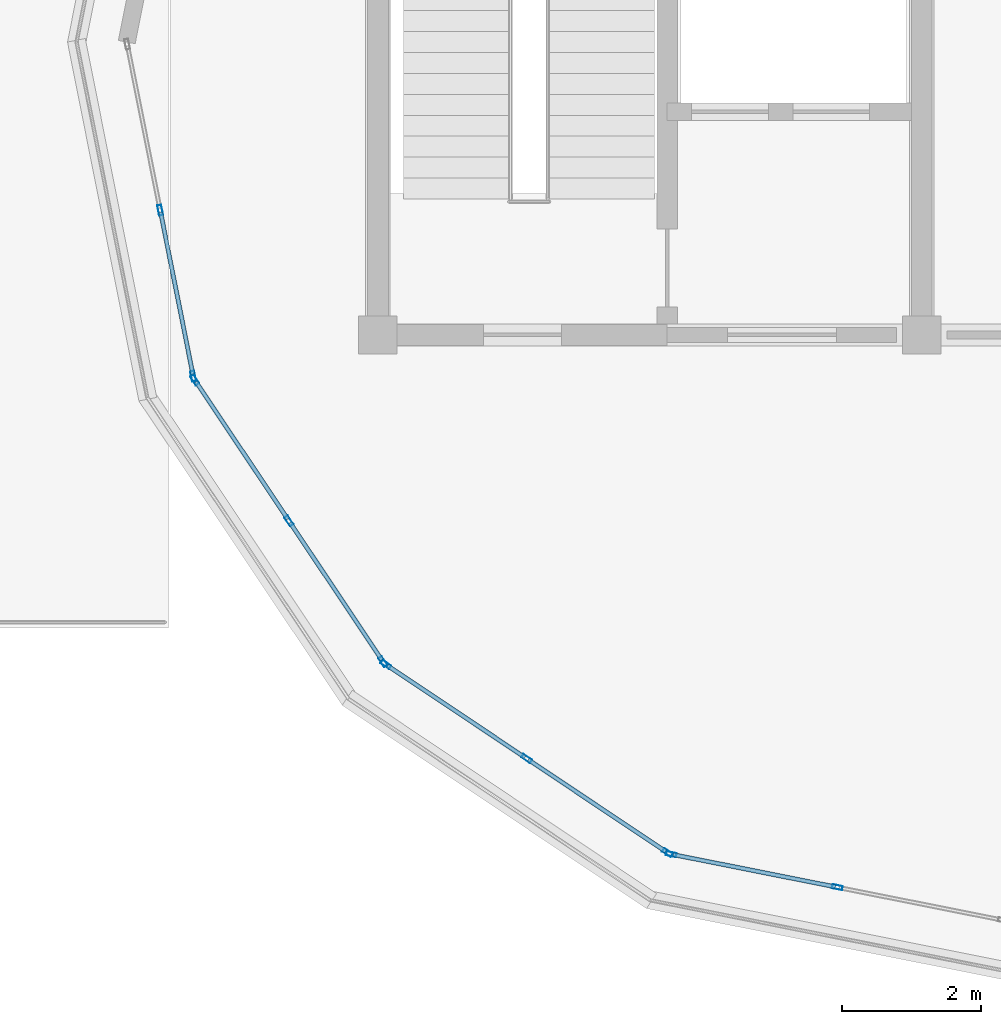
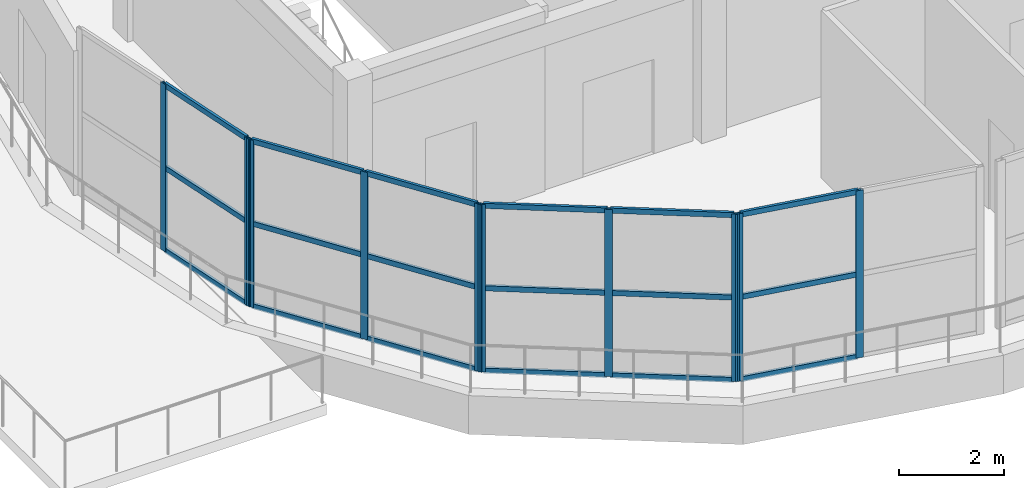
# One storey, part 2 of 33: 28 members, 4 elements without a shape of their own.
"""IFC4 building model written with IfcOpenShell, lengths in metres."""

from ifc_helpers import new_model, si_unit, direction, frame, origin, origin_2d, place, context, subcontext, project, spatial, hollow_rectangle, extrude, material, layer, layer_set, material_profile, profile_set, type_object, element, aggregate, save


model = new_model("IFC4")

# Units and contexts
model_context = context("Model", 3, precision=1e-05, world=origin(), true_north=direction((0.0, 1.0)))
body_context = subcontext(model_context, "Body", "Model", "MODEL_VIEW")
ifc_project = project(units=[si_unit("LENGTHUNIT", "METRE"), si_unit("AREAUNIT", "SQUARE_METRE"), si_unit("VOLUMEUNIT", "CUBIC_METRE"), si_unit("PLANEANGLEUNIT", "RADIAN"), si_unit("MASSUNIT", "GRAM", prefix="KILO")], contexts=[model_context])

# Site, building, storey
site_placement = place(None, origin())
site = spatial("IfcSite", under=ifc_project, at=site_placement, CompositionType="ELEMENT")
building_placement = place(site_placement, origin())
building = spatial("IfcBuilding", under=site, at=building_placement, Name="Zizhar Promenade General Hospital", CompositionType="ELEMENT")
storey_placement = place(building_placement, frame((0.0, 0.0, 39.0)))
storey = spatial("IfcBuildingStorey", under=building, at=storey_placement, Name="L09", CompositionType="ELEMENT", Elevation=39.0)

# Curtain wall, members
ifc_material_1 = material(Name="Anodised aluminium 6063-T6 and low-E glass", Category="aluminium")
ifc_layer = layer(ifc_material_1, 0.159912109375)
ifc_layer_set = layer_set([ifc_layer], Name="Anodised aluminium 6063-T6 and low-E glass")
curtain_wall_type = type_object("IfcCurtainWallType", Name="CW-WARD-ARC", PredefinedType="NOTDEFINED", material=ifc_layer_set)
curtain_wall_1_placement = place(storey_placement, origin())
curtain_wall_1 = element("IfcCurtainWall", 1, at=curtain_wall_1_placement, inside=storey, type_object=curtain_wall_type, Name="Ward Semicircular End Glazing L09-14", PredefinedType="NOTDEFINED")
ifc_material_2 = material(Name="Anodised aluminium 6063-T6", Category="aluminium")
ifc_material_profile_1 = material_profile(ifc_material_2, hollow_rectangle(XDim=0.06005859375, YDim=0.14990234375, WallThickness=0.00390625, at=origin_2d()))
ifc_profile_set_1 = profile_set([ifc_material_profile_1], Name="Anodised aluminium 6063-T6")
member_type_1 = type_object("IfcMemberType", Name="CWM-ALU-150x60", PredefinedType="MULLION", material=ifc_profile_set_1)
member_1_placement = place(storey_placement, frame((44.1533203125, 7.8076171875, 0.0), z_axis=(0.0, 0.0, 1.0), x_axis=(-0.980785889615, -0.195087259275, 0.0)))
member_1 = element("IfcMember", 2, at=member_1_placement, type_object=member_type_1, Name="CW-12 mullion 1", PredefinedType="MULLION", context=body_context, shape_type="SweptSolid", body=[
    extrude(hollow_rectangle(XDim=0.06005859375, YDim=0.14990234375, WallThickness=0.00390625, at=origin_2d()), origin(), (0.0, 0.0, 1.0), 3.89990234375),
])
member_2_placement = place(storey_placement, frame((43.679443359375, 10.189208984375, 0.0), z_axis=(0.0, 0.0, 1.0), x_axis=(-0.980785889615, -0.195087259275, 0.0)))
member_2 = element("IfcMember", 3, at=member_2_placement, type_object=member_type_1, Name="CW-12 mullion 2", PredefinedType="MULLION", context=body_context, shape_type="SweptSolid", body=[
    extrude(hollow_rectangle(XDim=0.06005859375, YDim=0.14990234375, WallThickness=0.00390625, at=origin_2d()), origin(), (0.0, 0.0, 1.0), 3.89990234375),
])

curtain_wall_2_placement = place(storey_placement, origin())
curtain_wall_2 = element("IfcCurtainWall", 4, at=curtain_wall_2_placement, inside=storey, type_object=curtain_wall_type, Name="Ward Semicircular End Glazing L09-15", PredefinedType="NOTDEFINED")
member_3_placement = place(storey_placement, frame((46.873779296875, 3.71533203125, 0.0), z_axis=(0.0, 0.0, 1.0), x_axis=(-0.831461514468, -0.555582352095, 0.0)))
member_3 = element("IfcMember", 5, at=member_3_placement, type_object=member_type_1, Name="CW-12 mullion 1", PredefinedType="MULLION", context=body_context, shape_type="SweptSolid", body=[
    extrude(hollow_rectangle(XDim=0.06005859375, YDim=0.14990234375, WallThickness=0.00390625, at=origin_2d()), origin(), (0.0, 0.0, 1.0), 3.89990234375),
])
member_4_placement = place(storey_placement, frame((45.52490234375, 5.734375, 0.0), z_axis=(0.0, 0.0, 1.0), x_axis=(-0.831461514468, -0.555582352095, 0.0)))
member_4 = element("IfcMember", 6, at=member_4_placement, type_object=member_type_1, Name="CW-12 mullion 2", PredefinedType="MULLION", context=body_context, shape_type="SweptSolid", body=[
    extrude(hollow_rectangle(XDim=0.06005859375, YDim=0.14990234375, WallThickness=0.00390625, at=origin_2d()), origin(), (0.0, 0.0, 1.0), 3.89990234375),
])
member_5_placement = place(storey_placement, frame((44.17578125, 7.753173828125, 0.0), z_axis=(0.0, 0.0, 1.0), x_axis=(-0.831461514468, -0.555582352095, 0.0)))
member_5 = element("IfcMember", 7, at=member_5_placement, type_object=member_type_1, Name="CW-12 mullion 3", PredefinedType="MULLION", context=body_context, shape_type="SweptSolid", body=[
    extrude(hollow_rectangle(XDim=0.06005859375, YDim=0.14990234375, WallThickness=0.00390625, at=origin_2d()), origin(), (0.0, 0.0, 1.0), 3.89990234375),
])

curtain_wall_3_placement = place(storey_placement, origin())
curtain_wall_3 = element("IfcCurtainWall", 8, at=curtain_wall_3_placement, inside=storey, type_object=curtain_wall_type, Name="Ward Semicircular End Glazing L09-16", PredefinedType="NOTDEFINED")
member_6_placement = place(storey_placement, frame((50.953369140625, 0.975830078125, 0.0), z_axis=(0.0, 0.0, 1.0), x_axis=(-0.555582352095, -0.831461514468, 0.0)))
member_6 = element("IfcMember", 9, at=member_6_placement, type_object=member_type_1, Name="CW-12 mullion 1", PredefinedType="MULLION", context=body_context, shape_type="SweptSolid", body=[
    extrude(hollow_rectangle(XDim=0.06005859375, YDim=0.14990234375, WallThickness=0.00390625, at=origin_2d()), origin(), (0.0, 0.0, 1.0), 3.89990234375),
])
member_7_placement = place(storey_placement, frame((48.934326171875, 2.32470703125, 0.0), z_axis=(0.0, 0.0, 1.0), x_axis=(-0.555582352095, -0.831461514468, 0.0)))
member_7 = element("IfcMember", 10, at=member_7_placement, type_object=member_type_1, Name="CW-12 mullion 2", PredefinedType="MULLION", context=body_context, shape_type="SweptSolid", body=[
    extrude(hollow_rectangle(XDim=0.06005859375, YDim=0.14990234375, WallThickness=0.00390625, at=origin_2d()), origin(), (0.0, 0.0, 1.0), 3.89990234375),
])
member_8_placement = place(storey_placement, frame((46.91552734375, 3.673828125, 0.0), z_axis=(0.0, 0.0, 1.0), x_axis=(-0.555582352095, -0.831461514468, 0.0)))
member_8 = element("IfcMember", 11, at=member_8_placement, type_object=member_type_1, Name="CW-12 mullion 3", PredefinedType="MULLION", context=body_context, shape_type="SweptSolid", body=[
    extrude(hollow_rectangle(XDim=0.06005859375, YDim=0.14990234375, WallThickness=0.00390625, at=origin_2d()), origin(), (0.0, 0.0, 1.0), 3.89990234375),
])

curtain_wall_4_placement = place(storey_placement, origin())
curtain_wall_4 = element("IfcCurtainWall", 12, at=curtain_wall_4_placement, inside=storey, type_object=curtain_wall_type, Name="Ward Semicircular End Glazing L09-17", PredefinedType="NOTDEFINED")
member_9_placement = place(storey_placement, frame((53.38916015625, 0.4794921875, 0.0), z_axis=(0.0, 0.0, 1.0), x_axis=(-0.195087259275, -0.980785889615, 0.0)))
member_9 = element("IfcMember", 13, at=member_9_placement, type_object=member_type_1, Name="CW-12 mullion 2", PredefinedType="MULLION", context=body_context, shape_type="SweptSolid", body=[
    extrude(hollow_rectangle(XDim=0.06005859375, YDim=0.14990234375, WallThickness=0.00390625, at=origin_2d()), origin(), (0.0, 0.0, 1.0), 3.89990234375),
])
member_10_placement = place(storey_placement, frame((51.007568359375, 0.953369140625, 0.0), z_axis=(0.0, 0.0, 1.0), x_axis=(-0.195087259275, -0.980785889615, 0.0)))
member_10 = element("IfcMember", 14, at=member_10_placement, type_object=member_type_1, Name="CW-12 mullion 3", PredefinedType="MULLION", context=body_context, shape_type="SweptSolid", body=[
    extrude(hollow_rectangle(XDim=0.06005859375, YDim=0.14990234375, WallThickness=0.00390625, at=origin_2d()), origin(), (0.0, 0.0, 1.0), 3.89990234375),
])

# Member
ifc_material_3 = material(Name="Anodised aluminium 6063-T6", Category="aluminium")
ifc_material_profile_2 = material_profile(ifc_material_3, hollow_rectangle(XDim=0.06005859375, YDim=0.1201171875, WallThickness=0.00390625, at=origin_2d()))
ifc_profile_set_2 = profile_set([ifc_material_profile_2], Name="Anodised aluminium 6063-T6")
member_type_2 = type_object("IfcMemberType", Name="CWT-ALU-120x60", PredefinedType="USERDEFINED", material=ifc_profile_set_2)
member_11_placement = place(storey_placement, frame((44.1474609375, 7.837158203125, 0.030029296875), z_axis=(-0.195164369634, 0.98077054851, 0.0), x_axis=(-0.98077054851, -0.195164369634, 0.0)))
member_11 = element("IfcMember", 15, at=member_11_placement, type_object=member_type_2, Name="CW-12 transom 1.1", ObjectType="TRANSOM", PredefinedType="USERDEFINED", context=body_context, shape_type="SweptSolid", body=[
    extrude(hollow_rectangle(XDim=0.06005859375, YDim=0.1201171875, WallThickness=0.00390625, at=origin_2d()), origin(), (0.0, 0.0, 1.0), 2.3681640625),
])

member_12_placement = place(storey_placement, frame((44.1474609375, 7.837158203125, 1.949951171875), z_axis=(-0.195164369634, 0.98077054851, 0.0), x_axis=(-0.98077054851, -0.195164369634, 0.0)))
member_12 = element("IfcMember", 16, at=member_12_placement, type_object=member_type_2, Name="CW-12 transom 1.2", ObjectType="TRANSOM", PredefinedType="USERDEFINED", context=body_context, shape_type="SweptSolid", body=[
    extrude(hollow_rectangle(XDim=0.06005859375, YDim=0.1201171875, WallThickness=0.00390625, at=origin_2d()), origin(), (0.0, 0.0, 1.0), 2.3681640625),
])

member_13_placement = place(storey_placement, frame((44.1474609375, 7.837158203125, 3.8701171875), z_axis=(-0.195164369634, 0.98077054851, 0.0), x_axis=(-0.98077054851, -0.195164369634, 0.0)))
member_13 = element("IfcMember", 17, at=member_13_placement, type_object=member_type_2, Name="CW-12 transom 1.3", ObjectType="TRANSOM", PredefinedType="USERDEFINED", context=body_context, shape_type="SweptSolid", body=[
    extrude(hollow_rectangle(XDim=0.06005859375, YDim=0.1201171875, WallThickness=0.00390625, at=origin_2d()), origin(), (0.0, 0.0, 1.0), 2.3681640625),
])

aggregate(curtain_wall_1, [member_1, member_2, member_11, member_12, member_13])

member_14_placement = place(storey_placement, frame((46.857177734375, 3.740478515625, 0.030029296875), z_axis=(-0.555580160396, 0.831462978956, 0.0), x_axis=(-0.831462978956, -0.555580160396, 0.0)))
member_14 = element("IfcMember", 18, at=member_14_placement, type_object=member_type_2, Name="CW-12 transom 1.1", ObjectType="TRANSOM", PredefinedType="USERDEFINED", context=body_context, shape_type="SweptSolid", body=[
    extrude(hollow_rectangle(XDim=0.06005859375, YDim=0.1201171875, WallThickness=0.00390625, at=origin_2d()), origin(), (0.0, 0.0, 1.0), 2.3681640625),
])

member_15_placement = place(storey_placement, frame((46.857177734375, 3.740478515625, 1.949951171875), z_axis=(-0.555580160396, 0.831462978956, 0.0), x_axis=(-0.831462978956, -0.555580160396, 0.0)))
member_15 = element("IfcMember", 19, at=member_15_placement, type_object=member_type_2, Name="CW-12 transom 1.2", ObjectType="TRANSOM", PredefinedType="USERDEFINED", context=body_context, shape_type="SweptSolid", body=[
    extrude(hollow_rectangle(XDim=0.06005859375, YDim=0.1201171875, WallThickness=0.00390625, at=origin_2d()), origin(), (0.0, 0.0, 1.0), 2.3681640625),
])

member_16_placement = place(storey_placement, frame((46.857177734375, 3.740478515625, 3.8701171875), z_axis=(-0.555580160396, 0.831462978956, 0.0), x_axis=(-0.831462978956, -0.555580160396, 0.0)))
member_16 = element("IfcMember", 20, at=member_16_placement, type_object=member_type_2, Name="CW-12 transom 1.3", ObjectType="TRANSOM", PredefinedType="USERDEFINED", context=body_context, shape_type="SweptSolid", body=[
    extrude(hollow_rectangle(XDim=0.06005859375, YDim=0.1201171875, WallThickness=0.00390625, at=origin_2d()), origin(), (0.0, 0.0, 1.0), 2.3681640625),
])

member_17_placement = place(storey_placement, frame((45.508056640625, 5.75927734375, 0.030029296875), z_axis=(-0.555580160396, 0.831462978956, 0.0), x_axis=(-0.831462978956, -0.555580160396, 0.0)))
member_17 = element("IfcMember", 21, at=member_17_placement, type_object=member_type_2, Name="CW-12 transom 2.1", ObjectType="TRANSOM", PredefinedType="USERDEFINED", context=body_context, shape_type="SweptSolid", body=[
    extrude(hollow_rectangle(XDim=0.06005859375, YDim=0.1201171875, WallThickness=0.00390625, at=origin_2d()), origin(), (0.0, 0.0, 1.0), 2.3681640625),
])

member_18_placement = place(storey_placement, frame((45.508056640625, 5.75927734375, 1.949951171875), z_axis=(-0.555580160396, 0.831462978956, 0.0), x_axis=(-0.831462978956, -0.555580160396, 0.0)))
member_18 = element("IfcMember", 22, at=member_18_placement, type_object=member_type_2, Name="CW-12 transom 2.2", ObjectType="TRANSOM", PredefinedType="USERDEFINED", context=body_context, shape_type="SweptSolid", body=[
    extrude(hollow_rectangle(XDim=0.06005859375, YDim=0.1201171875, WallThickness=0.00390625, at=origin_2d()), origin(), (0.0, 0.0, 1.0), 2.3681640625),
])

member_19_placement = place(storey_placement, frame((45.508056640625, 5.75927734375, 3.8701171875), z_axis=(-0.555580160396, 0.831462978956, 0.0), x_axis=(-0.831462978956, -0.555580160396, 0.0)))
member_19 = element("IfcMember", 23, at=member_19_placement, type_object=member_type_2, Name="CW-12 transom 2.3", ObjectType="TRANSOM", PredefinedType="USERDEFINED", context=body_context, shape_type="SweptSolid", body=[
    extrude(hollow_rectangle(XDim=0.06005859375, YDim=0.1201171875, WallThickness=0.00390625, at=origin_2d()), origin(), (0.0, 0.0, 1.0), 2.3681640625),
])

aggregate(curtain_wall_2, [member_3, member_4, member_5, member_14, member_15, member_16, member_17, member_18, member_19])

member_20_placement = place(storey_placement, frame((50.92822265625, 0.992431640625, 0.030029296875), z_axis=(-0.831462978956, 0.555580160396, 0.0), x_axis=(-0.555580160396, -0.831462978956, 0.0)))
member_20 = element("IfcMember", 24, at=member_20_placement, type_object=member_type_2, Name="CW-12 transom 1.1", ObjectType="TRANSOM", PredefinedType="USERDEFINED", context=body_context, shape_type="SweptSolid", body=[
    extrude(hollow_rectangle(XDim=0.06005859375, YDim=0.1201171875, WallThickness=0.00390625, at=origin_2d()), origin(), (0.0, 0.0, 1.0), 2.3681640625),
])

member_21_placement = place(storey_placement, frame((50.92822265625, 0.992431640625, 1.949951171875), z_axis=(-0.831462978956, 0.555580160396, 0.0), x_axis=(-0.555580160396, -0.831462978956, 0.0)))
member_21 = element("IfcMember", 25, at=member_21_placement, type_object=member_type_2, Name="CW-12 transom 1.2", ObjectType="TRANSOM", PredefinedType="USERDEFINED", context=body_context, shape_type="SweptSolid", body=[
    extrude(hollow_rectangle(XDim=0.06005859375, YDim=0.1201171875, WallThickness=0.00390625, at=origin_2d()), origin(), (0.0, 0.0, 1.0), 2.3681640625),
])

member_22_placement = place(storey_placement, frame((50.92822265625, 0.992431640625, 3.8701171875), z_axis=(-0.831462978956, 0.555580160396, 0.0), x_axis=(-0.555580160396, -0.831462978956, 0.0)))
member_22 = element("IfcMember", 26, at=member_22_placement, type_object=member_type_2, Name="CW-12 transom 1.3", ObjectType="TRANSOM", PredefinedType="USERDEFINED", context=body_context, shape_type="SweptSolid", body=[
    extrude(hollow_rectangle(XDim=0.06005859375, YDim=0.1201171875, WallThickness=0.00390625, at=origin_2d()), origin(), (0.0, 0.0, 1.0), 2.3681640625),
])

member_23_placement = place(storey_placement, frame((48.909423828125, 2.341552734375, 0.030029296875), z_axis=(-0.831462978956, 0.555580160396, 0.0), x_axis=(-0.555580160396, -0.831462978956, 0.0)))
member_23 = element("IfcMember", 27, at=member_23_placement, type_object=member_type_2, Name="CW-12 transom 2.1", ObjectType="TRANSOM", PredefinedType="USERDEFINED", context=body_context, shape_type="SweptSolid", body=[
    extrude(hollow_rectangle(XDim=0.06005859375, YDim=0.1201171875, WallThickness=0.00390625, at=origin_2d()), origin(), (0.0, 0.0, 1.0), 2.3681640625),
])

member_24_placement = place(storey_placement, frame((48.909423828125, 2.341552734375, 1.949951171875), z_axis=(-0.831462978956, 0.555580160396, 0.0), x_axis=(-0.555580160396, -0.831462978956, 0.0)))
member_24 = element("IfcMember", 28, at=member_24_placement, type_object=member_type_2, Name="CW-12 transom 2.2", ObjectType="TRANSOM", PredefinedType="USERDEFINED", context=body_context, shape_type="SweptSolid", body=[
    extrude(hollow_rectangle(XDim=0.06005859375, YDim=0.1201171875, WallThickness=0.00390625, at=origin_2d()), origin(), (0.0, 0.0, 1.0), 2.3681640625),
])

member_25_placement = place(storey_placement, frame((48.909423828125, 2.341552734375, 3.8701171875), z_axis=(-0.831462978956, 0.555580160396, 0.0), x_axis=(-0.555580160396, -0.831462978956, 0.0)))
member_25 = element("IfcMember", 29, at=member_25_placement, type_object=member_type_2, Name="CW-12 transom 2.3", ObjectType="TRANSOM", PredefinedType="USERDEFINED", context=body_context, shape_type="SweptSolid", body=[
    extrude(hollow_rectangle(XDim=0.06005859375, YDim=0.1201171875, WallThickness=0.00390625, at=origin_2d()), origin(), (0.0, 0.0, 1.0), 2.3681640625),
])

aggregate(curtain_wall_3, [member_6, member_7, member_8, member_20, member_21, member_22, member_23, member_24, member_25])

member_26_placement = place(storey_placement, frame((53.359619140625, 0.4853515625, 0.030029296875), z_axis=(-0.98077054851, 0.195164369634, 0.0), x_axis=(-0.195164369634, -0.98077054851, 0.0)))
member_26 = element("IfcMember", 30, at=member_26_placement, type_object=member_type_2, Name="CW-12 transom 2.1", ObjectType="TRANSOM", PredefinedType="USERDEFINED", context=body_context, shape_type="SweptSolid", body=[
    extrude(hollow_rectangle(XDim=0.06005859375, YDim=0.1201171875, WallThickness=0.00390625, at=origin_2d()), origin(), (0.0, 0.0, 1.0), 2.3681640625),
])

member_27_placement = place(storey_placement, frame((53.359619140625, 0.4853515625, 1.949951171875), z_axis=(-0.98077054851, 0.195164369634, 0.0), x_axis=(-0.195164369634, -0.98077054851, 0.0)))
member_27 = element("IfcMember", 31, at=member_27_placement, type_object=member_type_2, Name="CW-12 transom 2.2", ObjectType="TRANSOM", PredefinedType="USERDEFINED", context=body_context, shape_type="SweptSolid", body=[
    extrude(hollow_rectangle(XDim=0.06005859375, YDim=0.1201171875, WallThickness=0.00390625, at=origin_2d()), origin(), (0.0, 0.0, 1.0), 2.3681640625),
])

member_28_placement = place(storey_placement, frame((53.359619140625, 0.4853515625, 3.8701171875), z_axis=(-0.98077054851, 0.195164369634, 0.0), x_axis=(-0.195164369634, -0.98077054851, 0.0)))
member_28 = element("IfcMember", 32, at=member_28_placement, type_object=member_type_2, Name="CW-12 transom 2.3", ObjectType="TRANSOM", PredefinedType="USERDEFINED", context=body_context, shape_type="SweptSolid", body=[
    extrude(hollow_rectangle(XDim=0.06005859375, YDim=0.1201171875, WallThickness=0.00390625, at=origin_2d()), origin(), (0.0, 0.0, 1.0), 2.3681640625),
])

aggregate(curtain_wall_4, [member_9, member_10, member_26, member_27, member_28])

save(model, "model.ifc")
